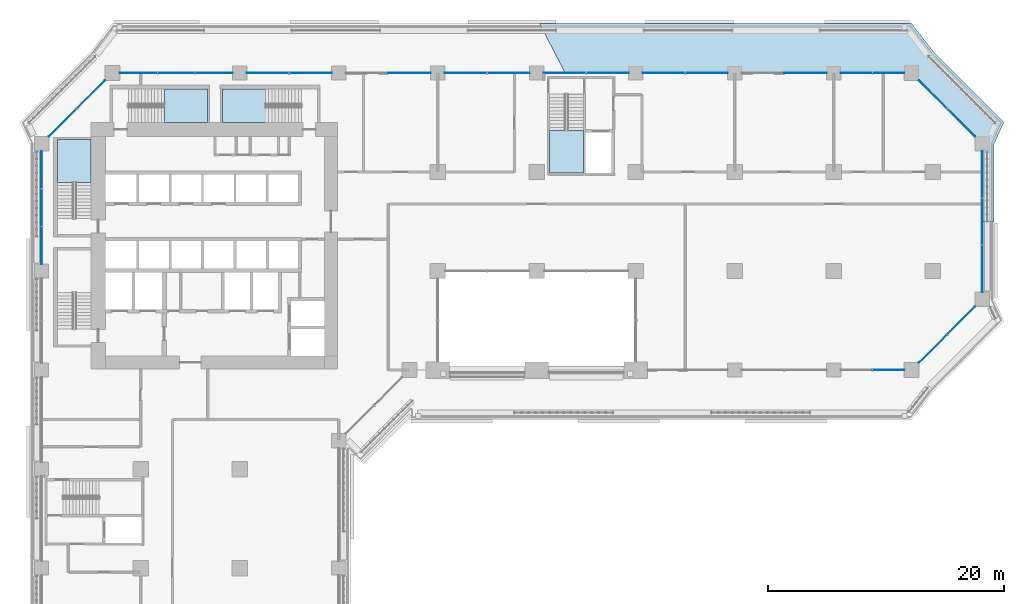
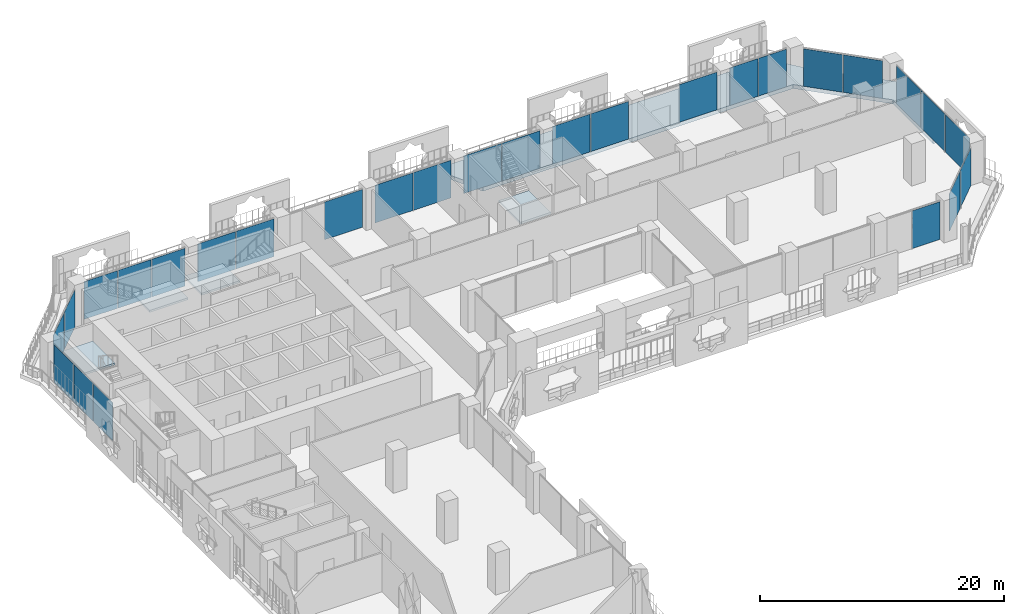
# One storey, part 12 of 27: 28 plates, 5 slabs, 11 elements without a shape of their own.
"""IFC4 building model written with IfcOpenShell, lengths in metres."""

from ifc_helpers import new_model, si_unit, direction, frame, origin, origin_2d, place, context, subcontext, project, spatial, polyline, rectangle, outline, extrude, material, layer, layer_set, type_object, element, aggregate, save


model = new_model("IFC4")

# Units and contexts
model_context = context("Model", 3, precision=1e-05, world=origin(), true_north=direction((0.0, 1.0)))
body_context = subcontext(model_context, "Body", "Model", "MODEL_VIEW")
ifc_project = project(units=[si_unit("LENGTHUNIT", "METRE"), si_unit("AREAUNIT", "SQUARE_METRE"), si_unit("VOLUMEUNIT", "CUBIC_METRE"), si_unit("PLANEANGLEUNIT", "RADIAN"), si_unit("MASSUNIT", "GRAM", prefix="KILO")], contexts=[model_context])

# Site, building, storey
site_placement = place(None, origin())
site = spatial("IfcSite", under=ifc_project, at=site_placement, CompositionType="ELEMENT")
building_placement = place(site_placement, origin())
building = spatial("IfcBuilding", under=site, at=building_placement, Name="Kawkab Arch Medical Tower", CompositionType="ELEMENT")
storey_placement = place(building_placement, frame((0.0, 0.0, 43.39990234375)))
storey = spatial("IfcBuildingStorey", under=building, at=storey_placement, Name="L09", CompositionType="ELEMENT", Elevation=43.39990234375)

# Curtain wall, plate
ifc_material_1 = material(Name="Bronze anodised aluminium curtain wall frame", Category="aluminium")
ifc_layer_1 = layer(ifc_material_1, 0.159912109375)
ifc_layer_set_1 = layer_set([ifc_layer_1], Name="Bronze anodised aluminium curtain wall frame")
curtain_wall_type_1 = type_object("IfcCurtainWallType", Name="CW1 ward curtain wall", PredefinedType="NOTDEFINED", material=ifc_layer_set_1)
placement_1 = place(storey_placement, origin())
curtain_wall_1 = element("IfcCurtainWall", 1, at=placement_1, inside=storey, type_object=curtain_wall_type_1, Name="CW1 Ward curtain wall R05", PredefinedType="NOTDEFINED")
ifc_material_2 = material(Name="Tinted insulating glass, bronze low-e coating", Category="glass")
ifc_layer_2 = layer(ifc_material_2, 0.031982421875)
ifc_layer_set_2 = layer_set([ifc_layer_2], Name="Tinted insulating glass, bronze low-e coating")
plate_type_1 = type_object("IfcPlateType", Name="CW1 glazing unit 32", PredefinedType="CURTAIN_PANEL", material=ifc_layer_set_2)
plate_1_placement = place(storey_placement, frame((71.84619140625, -25.199951171875, 0.0), z_axis=(0.0, 0.0, 1.0), x_axis=(1.0, 0.0, 0.0)))
plate_1 = element("IfcPlate", 2, at=plate_1_placement, type_object=plate_type_1, Name="CW1 glazing unit 3.2", PredefinedType="CURTAIN_PANEL", context=body_context, shape_type="SweptSolid", body=[
    extrude(rectangle(XDim=2.657470703125, YDim=0.031982421875, at=origin_2d()), origin(), (0.0, 0.0, 1.0), 3.780029296875),
])
aggregate(curtain_wall_1, [plate_1])

# Curtain wall, plates
curtain_wall_2 = element("IfcCurtainWall", 3, at=placement_1, inside=storey, type_object=curtain_wall_type_1, Name="CW1 Ward curtain wall R07", PredefinedType="NOTDEFINED")
plate_2_placement = place(storey_placement, frame((79.800048828125, -16.598388671875, 0.0), z_axis=(0.0, 0.0, 1.0), x_axis=(0.0, 1.0, 0.0)))
plate_2 = element("IfcPlate", 4, at=plate_2_placement, type_object=plate_type_1, Name="CW1 glazing unit 1.1", PredefinedType="CURTAIN_PANEL", context=body_context, shape_type="SweptSolid", body=[
    extrude(rectangle(XDim=3.953369140625, YDim=0.031982421875, at=origin_2d()), origin(), (0.0, 0.0, 1.0), 3.780029296875),
])
plate_3_placement = place(storey_placement, frame((79.800048828125, -12.60009765625, 0.0), z_axis=(0.0, 0.0, 1.0), x_axis=(0.0, 1.0, 0.0)))
plate_3 = element("IfcPlate", 5, at=plate_3_placement, type_object=plate_type_1, Name="CW1 glazing unit 1.2", PredefinedType="CURTAIN_PANEL", context=body_context, shape_type="SweptSolid", body=[
    extrude(rectangle(XDim=3.92333984375, YDim=0.031982421875, at=origin_2d()), origin(), (0.0, 0.0, 1.0), 3.780029296875),
])
plate_4_placement = place(storey_placement, frame((79.800048828125, -8.6015625, 0.0), z_axis=(0.0, 0.0, 1.0), x_axis=(0.0, 1.0, 0.0)))
plate_4 = element("IfcPlate", 6, at=plate_4_placement, type_object=plate_type_1, Name="CW1 glazing unit 1.3", PredefinedType="CURTAIN_PANEL", context=body_context, shape_type="SweptSolid", body=[
    extrude(rectangle(XDim=3.953369140625, YDim=0.031982421875, at=origin_2d()), origin(), (0.0, 0.0, 1.0), 3.780029296875),
])
aggregate(curtain_wall_2, [plate_2, plate_3, plate_4])

curtain_wall_3 = element("IfcCurtainWall", 7, at=placement_1, inside=storey, type_object=curtain_wall_type_1, Name="CW1 Ward curtain wall R09", PredefinedType="NOTDEFINED")
plate_5_placement = place(storey_placement, frame((71.84619140625, 0.0, 0.0), z_axis=(0.0, 0.0, 1.0), x_axis=(-1.0, 0.0, 0.0)))
plate_5 = element("IfcPlate", 8, at=plate_5_placement, type_object=plate_type_1, Name="CW1 glazing unit 1.1", PredefinedType="CURTAIN_PANEL", context=body_context, shape_type="SweptSolid", body=[
    extrude(rectangle(XDim=2.657470703125, YDim=0.031982421875, at=origin_2d()), origin(), (0.0, 0.0, 1.0), 3.780029296875),
])
plate_6_placement = place(storey_placement, frame((69.128662109375, 0.0, 0.0), z_axis=(0.0, 0.0, 1.0), x_axis=(-1.0, 0.0, 0.0)))
plate_6 = element("IfcPlate", 9, at=plate_6_placement, type_object=plate_type_1, Name="CW1 glazing unit 1.2", PredefinedType="CURTAIN_PANEL", context=body_context, shape_type="SweptSolid", body=[
    extrude(rectangle(XDim=2.657470703125, YDim=0.031982421875, at=origin_2d()), origin(), (0.0, 0.0, 1.0), 3.780029296875),
])
plate_7_placement = place(storey_placement, frame((64.800048828125, 0.0, 0.0), z_axis=(0.0, 0.0, 1.0), x_axis=(-1.0, 0.0, 0.0)))
plate_7 = element("IfcPlate", 10, at=plate_7_placement, type_object=plate_type_1, Name="CW1 glazing unit 2.1", PredefinedType="CURTAIN_PANEL", context=body_context, shape_type="SweptSolid", body=[
    extrude(rectangle(XDim=3.60009765625, YDim=0.031982421875, at=origin_2d()), origin(), (0.0, 0.0, 1.0), 3.780029296875),
])
plate_8_placement = place(storey_placement, frame((56.4150390625, 0.0, 0.0), z_axis=(0.0, 0.0, 1.0), x_axis=(-1.0, 0.0, 0.0)))
plate_8 = element("IfcPlate", 11, at=plate_8_placement, type_object=plate_type_1, Name="CW1 glazing unit 3.1", PredefinedType="CURTAIN_PANEL", context=body_context, shape_type="SweptSolid", body=[
    extrude(rectangle(XDim=3.570068359375, YDim=0.031982421875, at=origin_2d()), origin(), (0.0, 0.0, 1.0), 3.780029296875),
])
plate_9_placement = place(storey_placement, frame((52.784912109375, 0.0, 0.0), z_axis=(0.0, 0.0, 1.0), x_axis=(-1.0, 0.0, 0.0)))
plate_9 = element("IfcPlate", 12, at=plate_9_placement, type_object=plate_type_1, Name="CW1 glazing unit 3.2", PredefinedType="CURTAIN_PANEL", context=body_context, shape_type="SweptSolid", body=[
    extrude(rectangle(XDim=3.570068359375, YDim=0.031982421875, at=origin_2d()), origin(), (0.0, 0.0, 1.0), 3.780029296875),
])
plate_10_placement = place(storey_placement, frame((48.014892578125, 0.0, 0.0), z_axis=(0.0, 0.0, 1.0), x_axis=(-1.0, 0.0, 0.0)))
plate_10 = element("IfcPlate", 13, at=plate_10_placement, type_object=plate_type_1, Name="CW1 glazing unit 4.1", PredefinedType="CURTAIN_PANEL", context=body_context, shape_type="SweptSolid", body=[
    extrude(rectangle(XDim=3.570068359375, YDim=0.031982421875, at=origin_2d()), origin(), (0.0, 0.0, 1.0), 3.780029296875),
])
plate_11_placement = place(storey_placement, frame((44.385009765625, 0.0, 0.0), z_axis=(0.0, 0.0, 1.0), x_axis=(-1.0, 0.0, 0.0)))
plate_11 = element("IfcPlate", 14, at=plate_11_placement, type_object=plate_type_1, Name="CW1 glazing unit 4.2", PredefinedType="CURTAIN_PANEL", context=body_context, shape_type="SweptSolid", body=[
    extrude(rectangle(XDim=3.570068359375, YDim=0.031982421875, at=origin_2d()), origin(), (0.0, 0.0, 1.0), 3.780029296875),
])
plate_12_placement = place(storey_placement, frame((39.614990234375, 0.0, 0.0), z_axis=(0.0, 0.0, 1.0), x_axis=(-1.0, 0.0, 0.0)))
plate_12 = element("IfcPlate", 15, at=plate_12_placement, type_object=plate_type_1, Name="CW1 glazing unit 5.1", PredefinedType="CURTAIN_PANEL", context=body_context, shape_type="SweptSolid", body=[
    extrude(rectangle(XDim=3.570068359375, YDim=0.031982421875, at=origin_2d()), origin(), (0.0, 0.0, 1.0), 3.780029296875),
])
plate_13_placement = place(storey_placement, frame((35.985107421875, 0.0, 0.0), z_axis=(0.0, 0.0, 1.0), x_axis=(-1.0, 0.0, 0.0)))
plate_13 = element("IfcPlate", 16, at=plate_13_placement, type_object=plate_type_1, Name="CW1 glazing unit 5.2", PredefinedType="CURTAIN_PANEL", context=body_context, shape_type="SweptSolid", body=[
    extrude(rectangle(XDim=3.570068359375, YDim=0.031982421875, at=origin_2d()), origin(), (0.0, 0.0, 1.0), 3.780029296875),
])
plate_14_placement = place(storey_placement, frame((31.199951171875, 0.0, 0.0), z_axis=(0.0, 0.0, 1.0), x_axis=(-1.0, 0.0, 0.0)))
plate_14 = element("IfcPlate", 17, at=plate_14_placement, type_object=plate_type_1, Name="CW1 glazing unit 6.1", PredefinedType="CURTAIN_PANEL", context=body_context, shape_type="SweptSolid", body=[
    extrude(rectangle(XDim=3.60009765625, YDim=0.031982421875, at=origin_2d()), origin(), (0.0, 0.0, 1.0), 3.780029296875),
])
plate_15_placement = place(storey_placement, frame((22.81494140625, 0.0, 0.0), z_axis=(0.0, 0.0, 1.0), x_axis=(-1.0, 0.0, 0.0)))
plate_15 = element("IfcPlate", 18, at=plate_15_placement, type_object=plate_type_1, Name="CW1 glazing unit 7.1", PredefinedType="CURTAIN_PANEL", context=body_context, shape_type="SweptSolid", body=[
    extrude(rectangle(XDim=3.570068359375, YDim=0.031982421875, at=origin_2d()), origin(), (0.0, 0.0, 1.0), 3.780029296875),
])
plate_16_placement = place(storey_placement, frame((19.18505859375, 0.0, 0.0), z_axis=(0.0, 0.0, 1.0), x_axis=(-1.0, 0.0, 0.0)))
plate_16 = element("IfcPlate", 19, at=plate_16_placement, type_object=plate_type_1, Name="CW1 glazing unit 7.2", PredefinedType="CURTAIN_PANEL", context=body_context, shape_type="SweptSolid", body=[
    extrude(rectangle(XDim=3.570068359375, YDim=0.031982421875, at=origin_2d()), origin(), (0.0, 0.0, 1.0), 3.780029296875),
])
plate_17_placement = place(storey_placement, frame((14.619140625, 0.0, 0.0), z_axis=(0.0, 0.0, 1.0), x_axis=(-1.0, 0.0, 0.0)))
plate_17 = element("IfcPlate", 20, at=plate_17_placement, type_object=plate_type_1, Name="CW1 glazing unit 8.1", PredefinedType="CURTAIN_PANEL", context=body_context, shape_type="SweptSolid", body=[
    extrude(rectangle(XDim=3.16162109375, YDim=0.031982421875, at=origin_2d()), origin(), (0.0, 0.0, 1.0), 3.780029296875),
])
plate_18_placement = place(storey_placement, frame((11.41259765625, 0.0, 0.0), z_axis=(0.0, 0.0, 1.0), x_axis=(-1.0, 0.0, 0.0)))
plate_18 = element("IfcPlate", 21, at=plate_18_placement, type_object=plate_type_1, Name="CW1 glazing unit 8.2", PredefinedType="CURTAIN_PANEL", context=body_context, shape_type="SweptSolid", body=[
    extrude(rectangle(XDim=3.131591796875, YDim=0.031982421875, at=origin_2d()), origin(), (0.0, 0.0, 1.0), 3.780029296875),
])
plate_19_placement = place(storey_placement, frame((8.205810546875, 0.0, 0.0), z_axis=(0.0, 0.0, 1.0), x_axis=(-1.0, 0.0, 0.0)))
plate_19 = element("IfcPlate", 22, at=plate_19_placement, type_object=plate_type_1, Name="CW1 glazing unit 8.3", PredefinedType="CURTAIN_PANEL", context=body_context, shape_type="SweptSolid", body=[
    extrude(rectangle(XDim=3.16162109375, YDim=0.031982421875, at=origin_2d()), origin(), (0.0, 0.0, 1.0), 3.780029296875),
])
aggregate(curtain_wall_3, [plate_5, plate_6, plate_7, plate_8, plate_9, plate_10, plate_11, plate_12, plate_13, plate_14, plate_15, plate_16, plate_17, plate_18, plate_19])

curtain_wall_4 = element("IfcCurtainWall", 23, at=placement_1, inside=storey, type_object=curtain_wall_type_1, Name="CW1 Ward curtain wall R11", PredefinedType="NOTDEFINED")
plate_20_placement = place(storey_placement, frame((0.0, -8.205810546875, 0.0), z_axis=(0.0, 0.0, 1.0), x_axis=(0.0, -1.0, 0.0)))
plate_20 = element("IfcPlate", 24, at=plate_20_placement, type_object=plate_type_1, Name="CW1 glazing unit 1.1", PredefinedType="CURTAIN_PANEL", context=body_context, shape_type="SweptSolid", body=[
    extrude(rectangle(XDim=3.16162109375, YDim=0.031982421875, at=origin_2d()), origin(), (0.0, 0.0, 1.0), 3.780029296875),
])
plate_21_placement = place(storey_placement, frame((0.0, -11.41259765625, 0.0), z_axis=(0.0, 0.0, 1.0), x_axis=(0.0, -1.0, 0.0)))
plate_21 = element("IfcPlate", 25, at=plate_21_placement, type_object=plate_type_1, Name="CW1 glazing unit 1.2", PredefinedType="CURTAIN_PANEL", context=body_context, shape_type="SweptSolid", body=[
    extrude(rectangle(XDim=3.131591796875, YDim=0.031982421875, at=origin_2d()), origin(), (0.0, 0.0, 1.0), 3.780029296875),
])
plate_22_placement = place(storey_placement, frame((0.0, -14.619140625, 0.0), z_axis=(0.0, 0.0, 1.0), x_axis=(0.0, -1.0, 0.0)))
plate_22 = element("IfcPlate", 26, at=plate_22_placement, type_object=plate_type_1, Name="CW1 glazing unit 1.3", PredefinedType="CURTAIN_PANEL", context=body_context, shape_type="SweptSolid", body=[
    extrude(rectangle(XDim=3.16162109375, YDim=0.031982421875, at=origin_2d()), origin(), (0.0, 0.0, 1.0), 3.780029296875),
])
aggregate(curtain_wall_4, [plate_20, plate_21, plate_22])

ifc_material_3 = material(Name="Bronze anodised aluminium curtain wall frame", Category="aluminium")
ifc_layer_3 = layer(ifc_material_3, 0.159912109375)
ifc_layer_set_3 = layer_set([ifc_layer_3], Name="Bronze anodised aluminium curtain wall frame")
curtain_wall_type_2 = type_object("IfcCurtainWallType", Name="CW2 chamfer curtain wall", PredefinedType="NOTDEFINED", material=ifc_layer_set_3)
curtain_wall_5 = element("IfcCurtainWall", 27, at=placement_1, inside=storey, type_object=curtain_wall_type_2, Name="CW2 Chamfer curtain wall R06", PredefinedType="NOTDEFINED")
ifc_material_4 = material(Name="Tinted insulating glass, bronze low-e coating", Category="glass")
ifc_layer_4 = layer(ifc_material_4, 0.031982421875)
ifc_layer_set_4 = layer_set([ifc_layer_4], Name="Tinted insulating glass, bronze low-e coating")
plate_type_2 = type_object("IfcPlateType", Name="CW2 glazing unit 32", PredefinedType="CURTAIN_PANEL", material=ifc_layer_set_4)
plate_23_placement = place(storey_placement, frame((75.601806640625, -23.398193359375, 0.0), z_axis=(0.0, 0.0, 1.0), x_axis=(0.707106781187, 0.707106781187, 0.0)))
plate_23 = element("IfcPlate", 28, at=plate_23_placement, type_object=plate_type_2, Name="CW2 glazing unit 1.1", PredefinedType="CURTAIN_PANEL", context=body_context, shape_type="SweptSolid", body=[
    extrude(rectangle(XDim=3.328857421875, YDim=0.031982421875, at=origin_2d()), origin(), (0.0, 0.0, 1.0), 3.760009765625),
])
plate_24_placement = place(storey_placement, frame((77.998046875, -21.001953125, 0.0), z_axis=(0.0, 0.0, 1.0), x_axis=(0.707106781187, 0.707106781187, 0.0)))
plate_24 = element("IfcPlate", 29, at=plate_24_placement, type_object=plate_type_2, Name="CW2 glazing unit 1.2", PredefinedType="CURTAIN_PANEL", context=body_context, shape_type="SweptSolid", body=[
    extrude(rectangle(XDim=3.328857421875, YDim=0.031982421875, at=origin_2d()), origin(), (0.0, 0.0, 1.0), 3.760009765625),
])
aggregate(curtain_wall_5, [plate_23, plate_24])

curtain_wall_6 = element("IfcCurtainWall", 30, at=placement_1, inside=storey, type_object=curtain_wall_type_2, Name="CW2 Chamfer curtain wall R08", PredefinedType="NOTDEFINED")
plate_25_placement = place(storey_placement, frame((77.998046875, -4.197998046875, 0.0), z_axis=(0.0, 0.0, 1.0), x_axis=(-0.707106781187, 0.707106781187, 0.0)))
plate_25 = element("IfcPlate", 31, at=plate_25_placement, type_object=plate_type_2, Name="CW2 glazing unit 1.1", PredefinedType="CURTAIN_PANEL", context=body_context, shape_type="SweptSolid", body=[
    extrude(rectangle(XDim=3.328857421875, YDim=0.031982421875, at=origin_2d()), origin(), (0.0, 0.0, 1.0), 3.760009765625),
])
plate_26_placement = place(storey_placement, frame((75.601806640625, -1.802001953125, 0.0), z_axis=(0.0, 0.0, 1.0), x_axis=(-0.707106781187, 0.707106781187, 0.0)))
plate_26 = element("IfcPlate", 32, at=plate_26_placement, type_object=plate_type_2, Name="CW2 glazing unit 1.2", PredefinedType="CURTAIN_PANEL", context=body_context, shape_type="SweptSolid", body=[
    extrude(rectangle(XDim=3.328857421875, YDim=0.031982421875, at=origin_2d()), origin(), (0.0, 0.0, 1.0), 3.760009765625),
])
aggregate(curtain_wall_6, [plate_25, plate_26])

curtain_wall_7 = element("IfcCurtainWall", 33, at=placement_1, inside=storey, type_object=curtain_wall_type_2, Name="CW2 Chamfer curtain wall R10", PredefinedType="NOTDEFINED")
plate_27_placement = place(storey_placement, frame((4.197998046875, -1.802001953125, 0.0), z_axis=(0.0, 0.0, 1.0), x_axis=(-0.707106781187, -0.707106781187, 0.0)))
plate_27 = element("IfcPlate", 34, at=plate_27_placement, type_object=plate_type_2, Name="CW2 glazing unit 1.1", PredefinedType="CURTAIN_PANEL", context=body_context, shape_type="SweptSolid", body=[
    extrude(rectangle(XDim=3.328857421875, YDim=0.031982421875, at=origin_2d()), origin(), (0.0, 0.0, 1.0), 3.760009765625),
])
plate_28_placement = place(storey_placement, frame((1.802001953125, -4.197998046875, 0.0), z_axis=(0.0, 0.0, 1.0), x_axis=(-0.707106781187, -0.707106781187, 0.0)))
plate_28 = element("IfcPlate", 35, at=plate_28_placement, type_object=plate_type_2, Name="CW2 glazing unit 1.2", PredefinedType="CURTAIN_PANEL", context=body_context, shape_type="SweptSolid", body=[
    extrude(rectangle(XDim=3.328857421875, YDim=0.031982421875, at=origin_2d()), origin(), (0.0, 0.0, 1.0), 3.760009765625),
])
aggregate(curtain_wall_7, [plate_27, plate_28])

# Stair, slab
ifc_material_5 = material(Name="Concrete C40/50", Category="concrete")
stair_type = type_object("IfcStairType", Name="Exit stair 1350", PredefinedType="HALF_TURN_STAIR", material=ifc_material_5)
stair_1 = element("IfcStair", 36, at=placement_1, inside=storey, type_object=stair_type, Name="L09 Exit stair ST1", PredefinedType="HALF_TURN_STAIR")
ifc_material_6 = material(Name="Concrete C40/50", Category="concrete")
ifc_layer_5 = layer(ifc_material_6, 0.199951171875)
ifc_layer_set_5 = layer_set([ifc_layer_5], Name="Concrete C40/50")
slab_type_1 = type_object("IfcSlabType", Name="Exit stair landing 200", PredefinedType="LANDING", material=ifc_layer_set_5)
placement_2 = place(storey_placement, frame((0.0, 0.0, 1.900146484375)))
slab_1 = element("IfcSlab", 37, at=placement_2, type_object=slab_type_1, Name="ST1 landing 1", PredefinedType="LANDING", context=body_context, shape_type="SweptSolid", body=[
    extrude(outline(polyline([(4.199951171875, -9.27001953125), (4.199951171875, -5.64990234375), (1.35009765625, -5.64990234375), (1.35009765625, -9.27001953125), (4.199951171875, -9.27001953125)])), origin(), (0.0, 0.0, 1.0), 0.199951171875),
])
aggregate(stair_1, [slab_1])

stair_2 = element("IfcStair", 38, at=placement_1, inside=storey, type_object=stair_type, Name="L09 Exit stair ST3", PredefinedType="HALF_TURN_STAIR")
slab_2 = element("IfcSlab", 39, at=placement_2, type_object=slab_type_1, Name="ST3 landing 1", PredefinedType="LANDING", context=body_context, shape_type="SweptSolid", body=[
    extrude(outline(polyline([(10.429931640625, -4.199951171875), (14.050048828125, -4.199951171875), (14.050048828125, -1.35009765625), (10.429931640625, -1.35009765625), (10.429931640625, -4.199951171875)])), origin(), (0.0, 0.0, 1.0), 0.199951171875),
])
aggregate(stair_2, [slab_2])

stair_3 = element("IfcStair", 40, at=placement_1, inside=storey, type_object=stair_type, Name="L09 Exit stair ST4", PredefinedType="HALF_TURN_STAIR")
slab_3 = element("IfcSlab", 41, at=placement_2, type_object=slab_type_1, Name="ST4 landing 1", PredefinedType="LANDING", context=body_context, shape_type="SweptSolid", body=[
    extrude(outline(polyline([(18.969970703125, -1.35009765625), (15.35009765625, -1.35009765625), (15.35009765625, -4.199951171875), (18.969970703125, -4.199951171875), (18.969970703125, -1.35009765625)])), origin(), (0.0, 0.0, 1.0), 0.199951171875),
])
aggregate(stair_3, [slab_3])

stair_4 = element("IfcStair", 42, at=placement_1, inside=storey, type_object=stair_type, Name="L09 Exit stair ST5", PredefinedType="HALF_TURN_STAIR")
slab_4 = element("IfcSlab", 43, at=placement_2, type_object=slab_type_1, Name="ST5 landing 1", PredefinedType="LANDING", context=body_context, shape_type="SweptSolid", body=[
    extrude(outline(polyline([(43.10009765625, -4.8798828125), (43.10009765625, -8.5), (45.949951171875, -8.5), (45.949951171875, -4.8798828125), (43.10009765625, -4.8798828125)])), origin(), (0.0, 0.0, 1.0), 0.199951171875),
])
aggregate(stair_4, [slab_4])

# Slab
ifc_material_7 = material(Name="Concrete C40/50", Category="concrete")
ifc_layer_6 = layer(ifc_material_7, 0.39990234375)
ifc_layer_set_6 = layer_set([ifc_layer_6], Name="Concrete C40/50")
slab_type_2 = type_object("IfcSlabType", Name="Loggia slab 400", PredefinedType="FLOOR", material=ifc_layer_set_6)
slab_5_placement = place(storey_placement, frame((0.0, 0.0, -0.39990234375)))
element("IfcSlab", 44, at=slab_5_placement, inside=storey, type_object=slab_type_2, Name="Loggia slab L09.6", PredefinedType="FLOOR", context=body_context, shape_type="SweptSolid", body=[
    extrude(outline(polyline([(75.637939453125, 1.837890625), (81.637939453125, -4.162109375), (80.800048828125, -6.0), (80.800048828125, -12.60009765625), (79.800048828125, -12.60009765625), (79.800048828125, -6.0), (73.800048828125, 0.0), (73.800048828125, 0.0009765625), (44.410888671875, 0.0009765625), (42.23388671875, 4.199951171875), (73.800048828125, 4.199951171875), (75.637939453125, 1.837890625)])), origin(), (0.0, 0.0, 1.0), 0.39990234375),
])

save(model, "model.ifc")
